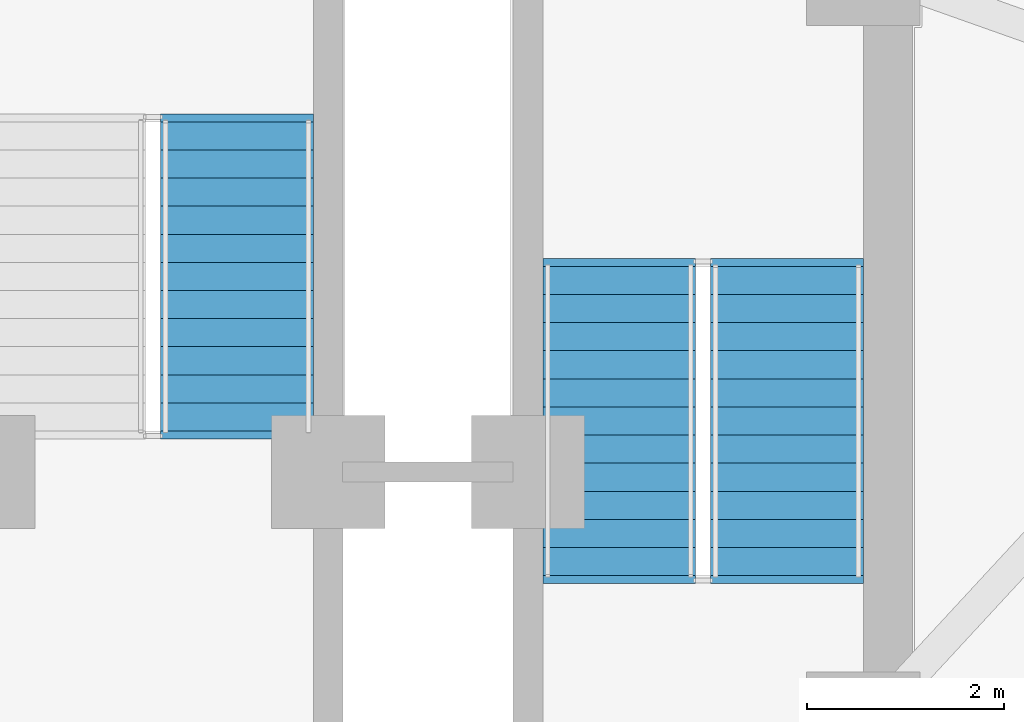
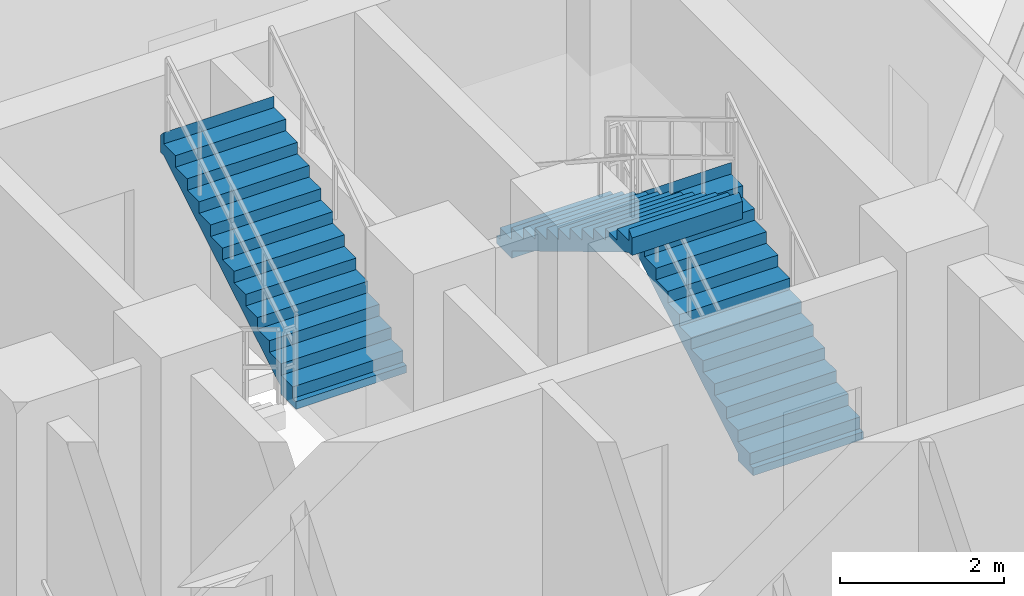
# One storey, part 8 of 12: 3 stair flights, 2 elements without a shape of their own.
"""IFC4 building model written with IfcOpenShell, lengths in metres."""

from ifc_helpers import new_model, si_unit, direction, frame, origin, place, context, subcontext, project, spatial, polyline, outline, extrude, material, type_object, element, aggregate, save


model = new_model("IFC4")

# Units and contexts
model_context = context("Model", 3, precision=1e-05, world=origin(), true_north=direction((0.0, 1.0)))
body_context = subcontext(model_context, "Body", "Model", "MODEL_VIEW")
ifc_project = project(units=[si_unit("LENGTHUNIT", "METRE"), si_unit("AREAUNIT", "SQUARE_METRE"), si_unit("VOLUMEUNIT", "CUBIC_METRE"), si_unit("PLANEANGLEUNIT", "RADIAN"), si_unit("MASSUNIT", "GRAM", prefix="KILO")], contexts=[model_context])

# Site, building, storey
site_placement = place(None, origin())
site = spatial("IfcSite", under=ifc_project, at=site_placement, CompositionType="ELEMENT")
building_placement = place(site_placement, origin())
building = spatial("IfcBuilding", under=site, at=building_placement, Name="Apsidion Concourse Tower", CompositionType="ELEMENT")
storey_placement = place(building_placement, frame((0.0, 0.0, 256.800048828125)))
storey = spatial("IfcBuildingStorey", under=building, at=storey_placement, Name="L60", CompositionType="ELEMENT", Elevation=256.800048828125)

# Stair, stair flights
ifc_material = material(Name="Precast concrete C40/50", Category="concrete")
stair_type = type_object("IfcStairType", Name="ST-DL-1550", PredefinedType="HALF_TURN_STAIR", material=ifc_material)
stair_1_placement = place(storey_placement, origin())
stair_1 = element("IfcStair", 1, at=stair_1_placement, inside=storey, type_object=stair_type, Name="L60 Protected Core Exit Stair ST2", PredefinedType="HALF_TURN_STAIR")
stair_flight_type = type_object("IfcStairFlightType", Name="SFL-RC-1550", PredefinedType="STRAIGHT", material=ifc_material)
stair_flight_1_placement = place(storey_placement, frame((6.425048828125, 3.0, 0.0), z_axis=(0.0, 0.0, 1.0), x_axis=(0.0, 1.0, 0.0)))
stair_flight_1 = element("IfcStairFlight", 2, at=stair_flight_1_placement, type_object=stair_flight_type, Name="ST2 flight 1", NumberOfRisers=12, NumberOfTreads=11, PredefinedType="STRAIGHT", RiserHeight=0.170833333, TreadLength=0.285, context=body_context, shape_type="SweptSolid", body=[
    extrude(outline(polyline([(-0.080078125, -0.1123046875), (-0.080078125, 0.0), (0.0, 0.0), (0.0, 0.1708984375), (0.284912109375, 0.1708984375), (0.284912109375, 0.341552734375), (0.570068359375, 0.341552734375), (0.570068359375, 0.512451171875), (0.85498046875, 0.512451171875), (0.85498046875, 0.683349609375), (1.139892578125, 0.683349609375), (1.139892578125, 0.854248046875), (1.425048828125, 0.854248046875), (1.425048828125, 1.02490234375), (1.7099609375, 1.02490234375), (1.7099609375, 1.19580078125), (1.9951171875, 1.19580078125), (1.9951171875, 1.36669921875), (2.280029296875, 1.36669921875), (2.280029296875, 1.53759765625), (2.56494140625, 1.53759765625), (2.56494140625, 1.708251953125), (2.85009765625, 1.708251953125), (2.85009765625, 1.879150390625), (3.135009765625, 1.879150390625), (3.135009765625, 2.050048828125), (3.215087890625, 1.964599609375), (3.215087890625, 1.704345703125), (3.135009765625, 1.704345703125), (0.29150390625, 0.0), (0.29150390625, -0.1123046875), (-0.080078125, -0.1123046875)])), frame((0.0, 0.77490234375, 0.0), z_axis=(0.0, -1.0, 0.0), x_axis=(1.0, 0.0, 0.0)), (0.0, 0.0, 1.0), 1.550048828125),
])
stair_flight_2_placement = place(storey_placement, frame((4.72509765625, 6.135009765625, 2.050048828125), z_axis=(0.0, 0.0, 1.0), x_axis=(0.0, -1.0, 0.0)))
stair_flight_2 = element("IfcStairFlight", 3, at=stair_flight_2_placement, type_object=stair_flight_type, Name="ST2 flight 2", NumberOfRisers=12, NumberOfTreads=11, PredefinedType="STRAIGHT", RiserHeight=0.170833333, TreadLength=0.285, context=body_context, shape_type="SweptSolid", body=[
    extrude(outline(polyline([(-0.080078125, -0.1123046875), (-0.080078125, 0.0), (0.0, 0.0), (0.0, 0.1708984375), (0.284912109375, 0.1708984375), (0.284912109375, 0.341552734375), (0.570068359375, 0.341552734375), (0.570068359375, 0.512451171875), (0.85498046875, 0.512451171875), (0.85498046875, 0.683349609375), (1.139892578125, 0.683349609375), (1.139892578125, 0.854248046875), (1.425048828125, 0.854248046875), (1.425048828125, 1.02490234375), (1.7099609375, 1.02490234375), (1.7099609375, 1.19580078125), (1.9951171875, 1.19580078125), (1.9951171875, 1.36669921875), (2.280029296875, 1.36669921875), (2.280029296875, 1.53759765625), (2.56494140625, 1.53759765625), (2.56494140625, 1.708251953125), (2.85009765625, 1.708251953125), (2.85009765625, 1.879150390625), (3.135009765625, 1.879150390625), (3.135009765625, 2.050048828125), (3.215087890625, 1.964599609375), (3.215087890625, 1.704345703125), (3.135009765625, 1.704345703125), (0.29150390625, 0.0), (0.29150390625, -0.1123046875), (-0.080078125, -0.1123046875)])), frame((0.0, 0.77490234375, 0.0), z_axis=(0.0, -1.0, 0.0), x_axis=(1.0, 0.0, 0.0)), (0.0, 0.0, 1.0), 1.550048828125),
])
aggregate(stair_1, [stair_flight_1, stair_flight_2])

# Stair, stair flight
stair_2_placement = place(storey_placement, origin())
stair_2 = element("IfcStair", 4, at=stair_2_placement, inside=storey, type_object=stair_type, Name="L60 Protected Core Exit Stair ST3", PredefinedType="HALF_TURN_STAIR")
stair_flight_3_placement = place(storey_placement, frame((0.85009765625, 4.465087890625, 2.050048828125), z_axis=(0.0, 0.0, 1.0), x_axis=(0.0, 1.0, 0.0)))
stair_flight_3 = element("IfcStairFlight", 5, at=stair_flight_3_placement, type_object=stair_flight_type, Name="ST3 flight 2", NumberOfRisers=12, NumberOfTreads=11, PredefinedType="STRAIGHT", RiserHeight=0.170833333, TreadLength=0.285, context=body_context, shape_type="SweptSolid", body=[
    extrude(outline(polyline([(-0.080078125, -0.1123046875), (-0.080078125, 0.0), (0.0, 0.0), (0.0, 0.1708984375), (0.284912109375, 0.1708984375), (0.284912109375, 0.341552734375), (0.570068359375, 0.341552734375), (0.570068359375, 0.512451171875), (0.85498046875, 0.512451171875), (0.85498046875, 0.683349609375), (1.139892578125, 0.683349609375), (1.139892578125, 0.854248046875), (1.425048828125, 0.854248046875), (1.425048828125, 1.02490234375), (1.7099609375, 1.02490234375), (1.7099609375, 1.19580078125), (1.9951171875, 1.19580078125), (1.9951171875, 1.36669921875), (2.280029296875, 1.36669921875), (2.280029296875, 1.53759765625), (2.56494140625, 1.53759765625), (2.56494140625, 1.708251953125), (2.85009765625, 1.708251953125), (2.85009765625, 1.879150390625), (3.135009765625, 1.879150390625), (3.135009765625, 2.050048828125), (3.215087890625, 1.964599609375), (3.215087890625, 1.704345703125), (3.135009765625, 1.704345703125), (0.29150390625, 0.0), (0.29150390625, -0.1123046875), (-0.080078125, -0.1123046875)])), frame((0.0, 0.77490234375, 0.0), z_axis=(0.0, -1.0, 0.0), x_axis=(1.0, 0.0, 0.0)), (0.0, 0.0, 1.0), 1.550048828125),
])
aggregate(stair_2, [stair_flight_3])

save(model, "model.ifc")
